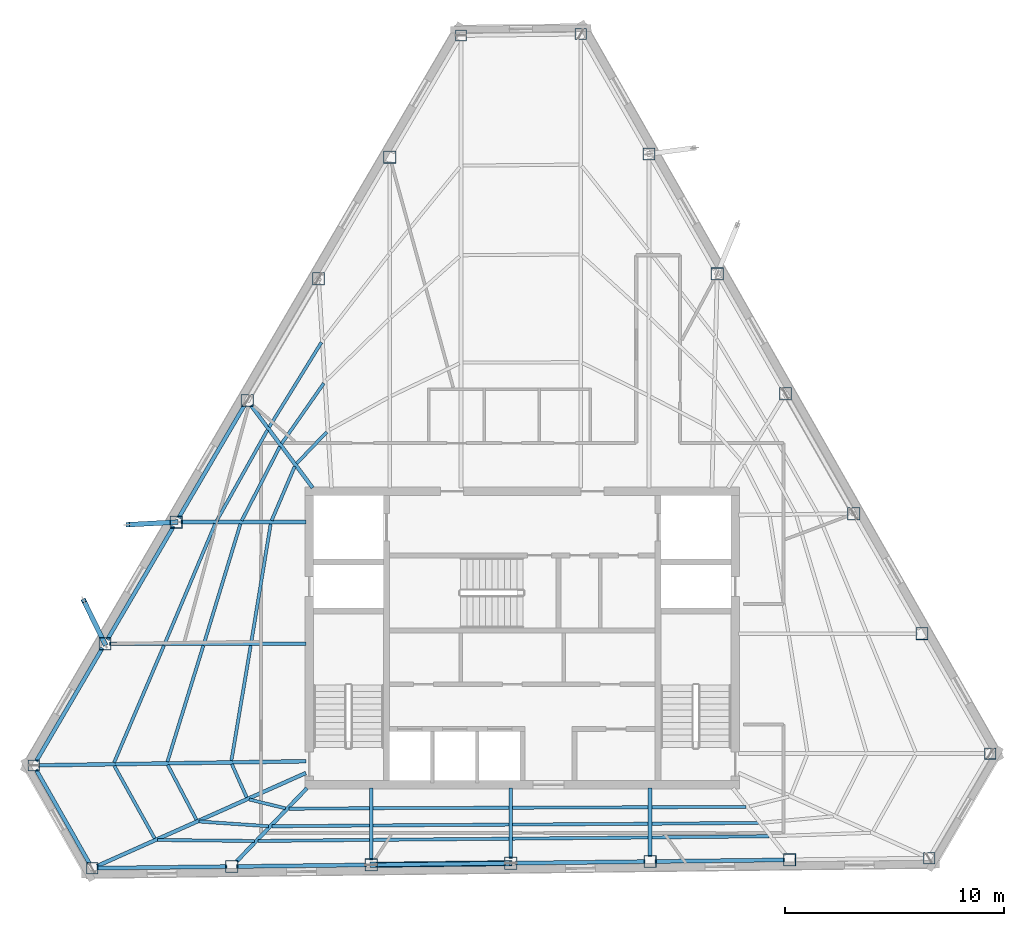
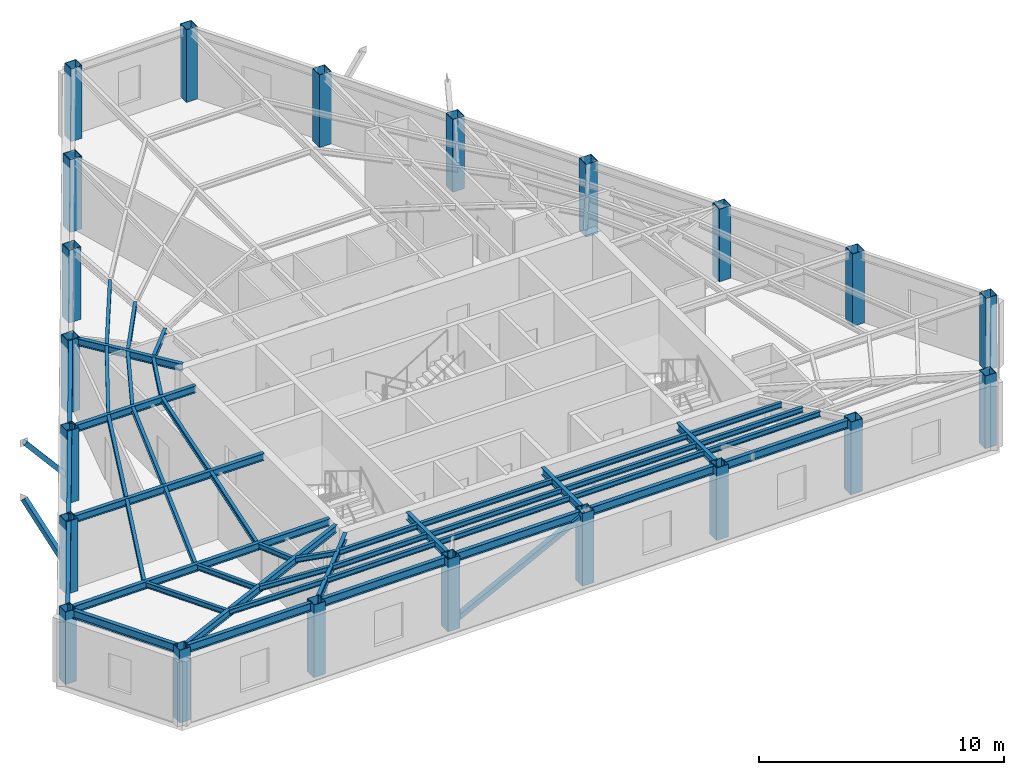
# One storey, part 1 of 10: 48 beams, 21 columns, 3 members.
"""IFC4 building model written with IfcOpenShell, lengths in metres."""

import ifcopenshell
import ifcopenshell.guid

model = None  # the IFC model being written
_history = None  # IfcOwnerHistory: only IFC2X3 demands one
_inside = {}  # id of a spatial element -> (the spatial element, [elements in it])
_under = {}  # id of a project, library or spatial element -> (it, [spatial elements below it])
_declared = {}  # id of a project -> (the project, [libraries it declares])
_typed = {}  # id of a type object -> (the type object, [elements of that type])
_made_of = {}  # id of a material, layer set ... -> (it, [elements and type objects made of it])


def new_model(schema):
    """Start an empty IFC model of exactly this schema.

    Asked for "IFC4X3", IfcOpenShell would pick the latest addendum, in which some entities
    have other attributes; the version numbers below select the first issue.
    IFC2X3 requires an IfcOwnerHistory on every rooted entity: one is made here for all.
    """
    global model, _history
    if schema == "IFC4X3":
        model = ifcopenshell.file(schema_version=(4, 3, 0, 0))
    else:
        model = ifcopenshell.file(schema=schema)
    _inside.clear()
    _under.clear()
    _declared.clear()
    _typed.clear()
    _made_of.clear()
    _history = None
    if model.schema == "IFC2X3":
        org = make("IfcOrganization", Name="unknown")
        user = make(
            "IfcPersonAndOrganization",
            ThePerson=make("IfcPerson", FamilyName="unknown"),
            TheOrganization=org,
        )
        app = make(
            "IfcApplication",
            ApplicationDeveloper=org,
            Version="unknown",
            ApplicationFullName="unknown",
            ApplicationIdentifier="unknown",
        )
        _history = make(
            "IfcOwnerHistory",
            OwningUser=user,
            OwningApplication=app,
            ChangeAction="ADDED",
            CreationDate=0,
        )
    return model


def make(cls, **values):
    """One entity of the class cls with the attributes given. An attribute that is None is left unset."""
    return model.create_entity(
        cls, **{name: value for name, value in values.items() if value is not None}
    )


def rooted(cls, **values):
    """An entity with a GlobalId (a new one), such as an element, a storey or a relation."""
    return make(cls, GlobalId=ifcopenshell.guid.new(), OwnerHistory=_history, **values)


def si_unit(unit_type, name, prefix=None):
    """IfcSIUnit, for example si_unit("LENGTHUNIT", "METRE", prefix="MILLI")."""
    return make("IfcSIUnit", UnitType=unit_type, Prefix=prefix, Name=name)


def assignment(units):
    """IfcUnitAssignment: the units of a project."""
    return None if units is None else make("IfcUnitAssignment", Units=units)


def point(xyz):
    """IfcCartesianPoint."""
    return None if xyz is None else make("IfcCartesianPoint", Coordinates=xyz)


def direction(xyz):
    """IfcDirection."""
    return None if xyz is None else make("IfcDirection", DirectionRatios=xyz)


def frame(location, z_axis=None, x_axis=None):
    """IfcAxis2Placement3D, a coordinate frame: its origin and axes. An axis left out is left unset."""
    return make(
        "IfcAxis2Placement3D",
        Location=point(location),
        Axis=direction(z_axis),
        RefDirection=direction(x_axis),
    )


def frame_2d(location, x_axis=None):
    """IfcAxis2Placement2D, a coordinate frame in the plane: its origin and x axis."""
    return make(
        "IfcAxis2Placement2D", Location=point(location), RefDirection=direction(x_axis)
    )


def origin():
    """The frame at (0, 0, 0) with its axes left unset."""
    return frame((0.0, 0.0, 0.0))


def origin_2d():
    """The frame at (0, 0) in the plane with its x axis left unset."""
    return frame_2d((0.0, 0.0))


def place(relative_to, where):
    """IfcLocalPlacement: puts the frame where relative to a parent placement (None: the world)."""
    return make(
        "IfcLocalPlacement", PlacementRelTo=relative_to, RelativePlacement=where
    )


def context(
    kind, dimensions, precision=None, world=None, true_north=None, identifier=None
):
    """IfcGeometricRepresentationContext, for example the 3D "Model" context."""
    return make(
        "IfcGeometricRepresentationContext",
        ContextIdentifier=identifier,
        ContextType=kind,
        CoordinateSpaceDimension=dimensions,
        Precision=precision,
        WorldCoordinateSystem=world,
        TrueNorth=true_north,
    )


def subcontext(parent, identifier, kind, view, scale=None):
    """IfcGeometricRepresentationSubContext, for example "Body" below "Model"."""
    return make(
        "IfcGeometricRepresentationSubContext",
        ContextIdentifier=identifier,
        ContextType=kind,
        ParentContext=parent,
        TargetScale=scale,
        TargetView=view,
    )


def project(units=None, contexts=None):
    """IfcProject with its units and contexts."""
    return rooted(
        "IfcProject",
        Name="project",
        RepresentationContexts=contexts,
        UnitsInContext=assignment(units),
    )


def spatial(cls, under=None, at=None, **own):
    """A site, building, storey or space (cls), placed at a placement, below another one or the project."""
    s = rooted(cls, ObjectPlacement=at, **own)
    if under is not None:
        _under.setdefault(under.id(), (under, []))[1].append(s)
    return s


def profile(cls, at=None, kind="AREA", **sizes):
    """A parametric profile (cls). Its sizes go by their IFC names, for example OverallWidth=200.0."""
    return make(cls, ProfileType=kind, Position=at, **sizes)


def hollow_rectangle(**sizes):
    """IfcRectangleHollowProfileDef."""
    return profile("IfcRectangleHollowProfileDef", **sizes)


def i_section(**sizes):
    """IfcIShapeProfileDef."""
    return profile("IfcIShapeProfileDef", **sizes)


def extrude(swept, where, along, depth):
    """IfcExtrudedAreaSolid: the profile swept, set in the frame where, extruded along a direction by depth."""
    return make(
        "IfcExtrudedAreaSolid",
        SweptArea=swept,
        Position=where,
        ExtrudedDirection=direction(along),
        Depth=depth,
    )


def shape(context_of_items, identifier, shape_type, items):
    """IfcShapeRepresentation: the items that make up one representation, for example the "Body"."""
    return make(
        "IfcShapeRepresentation",
        ContextOfItems=context_of_items,
        RepresentationIdentifier=identifier,
        RepresentationType=shape_type,
        Items=items,
    )


def material(Name=None, Category=None):
    """IfcMaterial."""
    return make("IfcMaterial", Name=Name, Category=Category)


def material_profile(
    of_material, cross_section, Name=None, Category=None, Priority=None
):
    """IfcMaterialProfile: a cross section and its material."""
    return make(
        "IfcMaterialProfile",
        Name=Name,
        Material=of_material,
        Profile=cross_section,
        Priority=Priority,
        Category=Category,
    )


def profile_set(profiles, Name=None, composite=None):
    """IfcMaterialProfileSet."""
    return make(
        "IfcMaterialProfileSet",
        Name=Name,
        MaterialProfiles=profiles,
        CompositeProfile=composite,
    )


def made_of(thing, what):
    """Note that an element or type object is made of a material, layer set ...; save() writes the relation."""
    if what is not None:
        _made_of.setdefault(what.id(), (what, []))[1].append(thing)
    return thing


def type_object(cls, material=None, **own):
    """A type object (cls), such as IfcWallType, which elements share."""
    return made_of(rooted(cls, **own), material)


def element(
    cls,
    number,
    at=None,
    inside=None,
    cuts=None,
    type_object=None,
    material=None,
    context=None,
    identifier="Body",
    shape_type=None,
    held_by="IfcProductDefinitionShape",
    body=None,
    shapes=None,
    **own,
):
    """One element of the class cls, such as IfcWall. Its Tag is "e" and its number.

    at: its placement. inside: the storey or other place that contains it. cuts: it is an
    opening in that element (IfcRelVoidsElement). A single representation is given by context,
    identifier, shape_type and body (its items); several are given by shapes. held_by: the class
    of the entity that holds the representations. save() writes the other relations.
    """
    e = rooted(cls, Tag="e%d" % number, ObjectPlacement=at, **own)
    if body is not None:
        shapes = [shape(context, identifier, shape_type, body)]
    if shapes is not None:
        e.Representation = make(held_by, Representations=shapes)
    if inside is not None:
        _inside.setdefault(inside.id(), (inside, []))[1].append(e)
    if cuts is not None:
        rooted(
            "IfcRelVoidsElement", RelatingBuildingElement=cuts, RelatedOpeningElement=e
        )
    if type_object is not None:
        _typed.setdefault(type_object.id(), (type_object, []))[1].append(e)
    return made_of(e, material)


def aggregate(whole, parts):
    """IfcRelAggregates: a whole, such as a stair, and the parts it consists of."""
    return rooted("IfcRelAggregates", RelatingObject=whole, RelatedObjects=parts)


def save(model, path):
    """Write the relations noted so far, then the file.

    IfcRelAggregates (storeys below a building ...), IfcRelContainedInSpatialStructure (elements
    in a storey), IfcRelDefinesByType, IfcRelAssociatesMaterial and IfcRelDeclares: one each for
    every whole, place, type object, material and project.
    """
    for whole, parts in _under.values():
        aggregate(whole, parts)
    for where, things in _inside.values():
        rooted(
            "IfcRelContainedInSpatialStructure",
            RelatedElements=things,
            RelatingStructure=where,
        )
    for kind, things in _typed.values():
        rooted("IfcRelDefinesByType", RelatedObjects=things, RelatingType=kind)
    for what, things in _made_of.values():
        rooted("IfcRelAssociatesMaterial", RelatedObjects=things, RelatingMaterial=what)
    for by, libraries in _declared.values():
        rooted("IfcRelDeclares", RelatingContext=by, RelatedDefinitions=libraries)
    model.write(path)


model = new_model("IFC4")

# Units and contexts
model_context = context("Model", 3, precision=1e-05, world=origin(), true_north=direction((0.0, 1.0)))
body_context = subcontext(model_context, "Body", "Model", "MODEL_VIEW")
ifc_project = project(units=[si_unit("LENGTHUNIT", "METRE"), si_unit("AREAUNIT", "SQUARE_METRE"), si_unit("VOLUMEUNIT", "CUBIC_METRE"), si_unit("PLANEANGLEUNIT", "RADIAN"), si_unit("MASSUNIT", "GRAM", prefix="KILO")], contexts=[model_context])

# Site, building, storey
site_placement = place(None, origin())
site = spatial("IfcSite", under=ifc_project, at=site_placement, CompositionType="ELEMENT")
building_placement = place(site_placement, origin())
building = spatial("IfcBuilding", under=site, at=building_placement, Name="Kavelnor Concourse Tower", CompositionType="ELEMENT")
storey_placement = place(building_placement, frame((0.0, 0.0, 289.550048828125)))
storey = spatial("IfcBuildingStorey", under=building, at=storey_placement, Name="L73", CompositionType="ELEMENT", Elevation=289.550048828125)

# Columns
ifc_material = material(Name="Steel Grade 350", Category="steel")
ifc_material_profile_1 = material_profile(ifc_material, hollow_rectangle(XDim=0.52001953125, YDim=0.52001953125, WallThickness=0.02392578125, at=origin_2d()), Name="SHS 520x520x24")
ifc_profile_set_1 = profile_set([ifc_material_profile_1], Name="Steel Grade 350")
column_type_1 = type_object("IfcColumnType", Name="COL-FOLD-Z4", PredefinedType="COLUMN", material=ifc_profile_set_1)
for number, where, z_axis, x_axis, name in (
    (1, (35.20751953125, 43.575439453125, 0.0), (0.0, 0.0, 1.0), (1.0, 0.0, 0.0), "L73 Perimeter Corner-Fold Column F0-B0"),
    (2, (15.72509765625, 10.288818359375, 0.0), (0.0, 0.0, 1.0), (1.0, 0.0, 0.0), "L73 Perimeter Corner-Fold Column F0-B6"),
    (3, (18.39306640625, 5.602783203125, 0.0), (0.0, 0.0, 1.0), (1.0, 0.0, 0.0), "L73 Perimeter Corner-Fold Column F1-B0"),
    (4, (56.553466796875, 6.060302734375, 0.0), (0.0, 0.0, 1.0), (1.0, 0.0, 0.0), "L73 Perimeter Corner-Fold Column F1-B6"),
    (5, (59.34619140625, 10.831787109375, 0.0), (0.0, 0.0, 1.0), (1.0, 0.0, 0.0), "L73 Perimeter Corner-Fold Column F2-B0"),
    (6, (40.667724609375, 43.640869140625, 0.0), (0.0, 0.0, 1.0), (1.0, 0.0, 0.0), "L73 Perimeter Corner-Fold Column F2-B6"),
):
    element("IfcColumn", number, at=place(storey_placement, frame(where, z_axis=z_axis, x_axis=x_axis)), inside=storey, type_object=column_type_1, Name=name, PredefinedType="COLUMN", context=body_context, shape_type="SweptSolid", body=[
        extrude(hollow_rectangle(XDim=0.52001953125, YDim=0.52001953125, WallThickness=0.02392578125, at=origin_2d()), origin(), (0.0, 0.0, 1.0), 3.60986328125),
    ])
ifc_material_profile_2 = material_profile(ifc_material, hollow_rectangle(XDim=0.56005859375, YDim=0.56005859375, WallThickness=0.02490234375, at=origin_2d()), Name="SHS 560x560x25")
ifc_profile_set_2 = profile_set([ifc_material_profile_2], Name="Steel Grade 350")
column_type_2 = type_object("IfcColumnType", Name="COL-TUBE-Z4", PredefinedType="COLUMN", material=ifc_profile_set_2)
for number, where, z_axis, x_axis, name in (
    (7, (31.96044921875, 38.027587890625, 0.0), (0.0, 0.0, 1.0), (1.0, 0.0, 0.0), "L73 Perimeter Framed-Tube Column F0-B1"),
    (8, (28.71337890625, 32.47998046875, 0.0), (0.0, 0.0, 1.0), (1.0, 0.0, 0.0), "L73 Perimeter Framed-Tube Column F0-B2"),
    (9, (25.46630859375, 26.93212890625, 0.0), (0.0, 0.0, 1.0), (1.0, 0.0, 0.0), "L73 Perimeter Framed-Tube Column F0-B3"),
    (10, (22.21923828125, 21.384521484375, 0.0), (0.0, 0.0, 1.0), (1.0, 0.0, 0.0), "L73 Perimeter Framed-Tube Column F0-B4"),
    (11, (18.97216796875, 15.836669921875, 0.0), (0.0, 0.0, 1.0), (1.0, 0.0, 0.0), "L73 Perimeter Framed-Tube Column F0-B5"),
    (12, (24.753173828125, 5.678955078125, 0.0), (0.0, 0.0, 1.0), (1.0, 0.0, 0.0), "L73 Perimeter Framed-Tube Column F1-B1"),
    (13, (31.11328125, 5.75537109375, 0.0), (0.0, 0.0, 1.0), (1.0, 0.0, 0.0), "L73 Perimeter Framed-Tube Column F1-B2"),
    (14, (37.473388671875, 5.83154296875, 0.0), (0.0, 0.0, 1.0), (1.0, 0.0, 0.0), "L73 Perimeter Framed-Tube Column F1-B3"),
    (15, (43.833251953125, 5.90771484375, 0.0), (0.0, 0.0, 1.0), (1.0, 0.0, 0.0), "L73 Perimeter Framed-Tube Column F1-B4"),
    (16, (50.193359375, 5.98388671875, 0.0), (0.0, 0.0, 1.0), (1.0, 0.0, 0.0), "L73 Perimeter Framed-Tube Column F1-B5"),
    (17, (56.23291015625, 16.2998046875, 0.0), (0.0, 0.0, 1.0), (1.0, 0.0, 0.0), "L73 Perimeter Framed-Tube Column F2-B1"),
    (18, (53.1201171875, 21.76806640625, 0.0), (0.0, 0.0, 1.0), (1.0, 0.0, 0.0), "L73 Perimeter Framed-Tube Column F2-B2"),
    (19, (50.0068359375, 27.236328125, 0.0), (0.0, 0.0, 1.0), (1.0, 0.0, 0.0), "L73 Perimeter Framed-Tube Column F2-B3"),
    (20, (46.893798828125, 32.70458984375, 0.0), (0.0, 0.0, 1.0), (1.0, 0.0, 0.0), "L73 Perimeter Framed-Tube Column F2-B4"),
    (21, (43.78076171875, 38.172607421875, 0.0), (0.0, 0.0, 1.0), (1.0, 0.0, 0.0), "L73 Perimeter Framed-Tube Column F2-B5"),
):
    element("IfcColumn", number, at=place(storey_placement, frame(where, z_axis=z_axis, x_axis=x_axis)), inside=storey, type_object=column_type_2, Name=name, PredefinedType="COLUMN", context=body_context, shape_type="SweptSolid", body=[
        extrude(hollow_rectangle(XDim=0.56005859375, YDim=0.56005859375, WallThickness=0.02490234375, at=origin_2d()), origin(), (0.0, 0.0, 1.0), 3.60986328125),
    ])

# Beams
ifc_material_profile_3 = material_profile(ifc_material, i_section(OverallWidth=0.14599609375, OverallDepth=0.256103515625, WebThickness=0.00634765625, FlangeThickness=0.010986328125, at=origin_2d()), Name="250UB37")
ifc_profile_set_3 = profile_set([ifc_material_profile_3], Name="Steel Grade 350")
beam_type_1 = type_object("IfcBeamType", Name="BM-JOIST-250", PredefinedType="JOIST", material=ifc_profile_set_3)
beam_1_placement = place(storey_placement, frame((25.62109375, 15.755859375, 3.48193359375), z_axis=(-0.165782818915, -0.98616228733, 0.0), x_axis=(0.98616228733, -0.165782818915, 0.0)))
element("IfcBeam", 22, at=beam_1_placement, inside=storey, type_object=beam_type_1, Name="L73 Secondary Composite Joist 01-1", PredefinedType="JOIST", context=body_context, shape_type="SweptSolid", body=[
    extrude(i_section(OverallWidth=0.14599609375, OverallDepth=0.256103515625, WebThickness=0.00634765625, FlangeThickness=0.010986328125, at=origin_2d()), origin(), (0.0, 0.0, 1.0), 5.32080078125),
])
beam_2_placement = place(storey_placement, frame((23.462890625, 15.75830078125, 3.48193359375), z_axis=(-0.295734429042, -0.955270196059, 0.0), x_axis=(0.955270196059, -0.295734429042, 0.0)))
element("IfcBeam", 23, at=beam_2_placement, inside=storey, type_object=beam_type_1, Name="L73 Secondary Composite Joist 01-2", PredefinedType="JOIST", context=body_context, shape_type="SweptSolid", body=[
    extrude(i_section(OverallWidth=0.14599609375, OverallDepth=0.256103515625, WebThickness=0.00634765625, FlangeThickness=0.010986328125, at=origin_2d()), origin(), (0.0, 0.0, 1.0), 5.545166015625),
])
beam_3_placement = place(storey_placement, frame((21.66552734375, 15.76123046875, 3.48193359375), z_axis=(-0.39169987673, -0.920093042344, 0.0), x_axis=(0.920093042344, -0.39169987673, 0.0)))
element("IfcBeam", 24, at=beam_3_placement, inside=storey, type_object=beam_type_1, Name="L73 Secondary Composite Joist 01-3", PredefinedType="JOIST", context=body_context, shape_type="SweptSolid", body=[
    extrude(i_section(OverallWidth=0.14599609375, OverallDepth=0.256103515625, WebThickness=0.00634765625, FlangeThickness=0.010986328125, at=origin_2d()), origin(), (0.0, 0.0, 1.0), 5.8046875),
])
beam_4_placement = place(storey_placement, frame((24.7587890625, 10.35302734375, 3.48193359375), z_axis=(0.407607177094, -0.913157373721, 0.0), x_axis=(0.913157373721, 0.407607177094, 0.0)))
element("IfcBeam", 25, at=beam_4_placement, inside=storey, type_object=beam_type_1, Name="L73 Secondary Composite Joist 02-1", PredefinedType="JOIST", context=body_context, shape_type="SweptSolid", body=[
    extrude(i_section(OverallWidth=0.14599609375, OverallDepth=0.256103515625, WebThickness=0.00634765625, FlangeThickness=0.010986328125, at=origin_2d()), origin(), (0.0, 0.0, 1.0), 1.6650390625),
])
beam_5_placement = place(storey_placement, frame((21.8369140625, 10.310302734375, 3.48193359375), z_axis=(0.464640573298, -0.885499371906, 0.0), x_axis=(0.885499371906, 0.464640573298, 0.0)))
element("IfcBeam", 26, at=beam_5_placement, inside=storey, type_object=beam_type_1, Name="L73 Secondary Composite Joist 02-2", PredefinedType="JOIST", context=body_context, shape_type="SweptSolid", body=[
    extrude(i_section(OverallWidth=0.14599609375, OverallDepth=0.256103515625, WebThickness=0.00634765625, FlangeThickness=0.010986328125, at=origin_2d()), origin(), (0.0, 0.0, 1.0), 2.821533203125),
])
beam_6_placement = place(storey_placement, frame((19.399658203125, 10.2734375, 3.48193359375), z_axis=(0.486233607395, -0.873828861414, 0.0), x_axis=(0.873828861414, 0.486233607395, 0.0)))
element("IfcBeam", 27, at=beam_6_placement, inside=storey, type_object=beam_type_1, Name="L73 Secondary Composite Joist 02-3", PredefinedType="JOIST", context=body_context, shape_type="SweptSolid", body=[
    extrude(i_section(OverallWidth=0.14599609375, OverallDepth=0.256103515625, WebThickness=0.00634765625, FlangeThickness=0.010986328125, at=origin_2d()), origin(), (0.0, 0.0, 1.0), 3.789306640625),
])
beam_7_placement = place(storey_placement, frame((25.550537109375, 8.738037109375, 3.48193359375), z_axis=(0.971296634745, -0.237871493316, 0.0), x_axis=(0.237871493316, 0.971296634745, 0.0)))
element("IfcBeam", 28, at=beam_7_placement, inside=storey, type_object=beam_type_1, Name="L73 Secondary Composite Joist 03-1", PredefinedType="JOIST", context=body_context, shape_type="SweptSolid", body=[
    extrude(i_section(OverallWidth=0.14599609375, OverallDepth=0.256103515625, WebThickness=0.00634765625, FlangeThickness=0.010986328125, at=origin_2d()), origin(), (0.0, 0.0, 1.0), 1.70068359375),
])
beam_8_placement = place(storey_placement, frame((23.26806640625, 7.733642578125, 3.48193359375), z_axis=(0.997691168925, -0.067914147642, 0.0), x_axis=(0.067914147642, 0.997691168925, 0.0)))
element("IfcBeam", 29, at=beam_8_placement, inside=storey, type_object=beam_type_1, Name="L73 Secondary Composite Joist 03-2", PredefinedType="JOIST", context=body_context, shape_type="SweptSolid", body=[
    extrude(i_section(OverallWidth=0.14599609375, OverallDepth=0.256103515625, WebThickness=0.00634765625, FlangeThickness=0.010986328125, at=origin_2d()), origin(), (0.0, 0.0, 1.0), 3.170654296875),
])
beam_9_placement = place(storey_placement, frame((21.3642578125, 6.8896484375, 3.48193359375), z_axis=(0.99995071268, -0.009928353924, 0.0), x_axis=(0.009928353924, 0.99995071268, 0.0)))
element("IfcBeam", 30, at=beam_9_placement, inside=storey, type_object=beam_type_1, Name="L73 Secondary Composite Joist 03-3", PredefinedType="JOIST", context=body_context, shape_type="SweptSolid", body=[
    extrude(i_section(OverallWidth=0.14599609375, OverallDepth=0.256103515625, WebThickness=0.00634765625, FlangeThickness=0.010986328125, at=origin_2d()), origin(), (0.0, 0.0, 1.0), 4.42626953125),
])
beam_10_placement = place(storey_placement, frame((27.364013671875, 8.314697265625, 3.48193359375), z_axis=(0.999976945398, 0.006790336757, 0.0), x_axis=(-0.006790336757, 0.999976945398, 0.0)))
element("IfcBeam", 31, at=beam_10_placement, inside=storey, type_object=beam_type_1, Name="L73 Secondary Composite Joist 04-1", PredefinedType="JOIST", context=body_context, shape_type="SweptSolid", body=[
    extrude(i_section(OverallWidth=0.14599609375, OverallDepth=0.256103515625, WebThickness=0.00634765625, FlangeThickness=0.010986328125, at=origin_2d()), origin(), (0.0, 0.0, 1.0), 3.667236328125),
])
beam_11_placement = place(storey_placement, frame((26.59521484375, 7.513427734375, 3.48193359375), z_axis=(0.999963616888, 0.008530234486, 0.0), x_axis=(-0.008530234486, 0.999963616888, 0.0)))
element("IfcBeam", 32, at=beam_11_placement, inside=storey, type_object=beam_type_1, Name="L73 Secondary Composite Joist 04-2", PredefinedType="JOIST", context=body_context, shape_type="SweptSolid", body=[
    extrude(i_section(OverallWidth=0.14599609375, OverallDepth=0.256103515625, WebThickness=0.00634765625, FlangeThickness=0.010986328125, at=origin_2d()), origin(), (0.0, 0.0, 1.0), 4.436279296875),
])
beam_12_placement = place(storey_placement, frame((25.9541015625, 6.845703125, 3.48193359375), z_axis=(0.999954218848, 0.009568709826, 0.0), x_axis=(-0.009568709826, 0.999954218848, 0.0)))
element("IfcBeam", 33, at=beam_12_placement, inside=storey, type_object=beam_type_1, Name="L73 Secondary Composite Joist 04-3", PredefinedType="JOIST", context=body_context, shape_type="SweptSolid", body=[
    extrude(i_section(OverallWidth=0.14599609375, OverallDepth=0.256103515625, WebThickness=0.00634765625, FlangeThickness=0.010986328125, at=origin_2d()), origin(), (0.0, 0.0, 1.0), 5.077392578125),
])
for number, where, z_axis, x_axis, name in (
    (34, (31.1953125, 8.340576171875, 3.48193359375), (0.999994391391, 0.003349206953, 0.0), (-0.003349206953, 0.999994391391, 0.0), "L73 Secondary Composite Joist 05-1"),
    (35, (31.1953125, 7.552490234375, 3.48193359375), (0.999980621394, 0.006225498963, 0.0), (-0.006225498963, 0.999980621394, 0.0), "L73 Secondary Composite Joist 05-2"),
):
    element("IfcBeam", number, at=place(storey_placement, frame(where, z_axis=z_axis, x_axis=x_axis)), inside=storey, type_object=beam_type_1, Name=name, PredefinedType="JOIST", context=body_context, shape_type="SweptSolid", body=[
        extrude(i_section(OverallWidth=0.14599609375, OverallDepth=0.256103515625, WebThickness=0.00634765625, FlangeThickness=0.010986328125, at=origin_2d()), origin(), (0.0, 0.0, 1.0), 6.196044921875),
    ])
beam_13_placement = place(storey_placement, frame((31.1953125, 6.895751953125, 3.48193359375), z_axis=(0.999962770692, 0.008628860348, 0.0), x_axis=(-0.008628860348, 0.999962770692, 0.0)))
element("IfcBeam", 36, at=beam_13_placement, inside=storey, type_object=beam_type_1, Name="L73 Secondary Composite Joist 05-3", PredefinedType="JOIST", context=body_context, shape_type="SweptSolid", body=[
    extrude(i_section(OverallWidth=0.14599609375, OverallDepth=0.256103515625, WebThickness=0.00634765625, FlangeThickness=0.010986328125, at=origin_2d()), origin(), (0.0, 0.0, 1.0), 6.1962890625),
])
for number, where, z_axis, x_axis, name in (
    (37, (37.555419921875, 8.36181640625, 3.48193359375), (0.999994258196, 0.003388742462, 0.0), (-0.003388742462, 0.999994258196, 0.0), "L73 Secondary Composite Joist 06-1"),
    (38, (37.555419921875, 7.592041015625, 3.48193359375), (0.999980619866, 0.006225744264, 0.0), (-0.006225744264, 0.999980619866, 0.0), "L73 Secondary Composite Joist 06-2"),
):
    element("IfcBeam", number, at=place(storey_placement, frame(where, z_axis=z_axis, x_axis=x_axis)), inside=storey, type_object=beam_type_1, Name=name, PredefinedType="JOIST", context=body_context, shape_type="SweptSolid", body=[
        extrude(i_section(OverallWidth=0.14599609375, OverallDepth=0.256103515625, WebThickness=0.00634765625, FlangeThickness=0.010986328125, at=origin_2d()), origin(), (0.0, 0.0, 1.0), 6.19580078125),
    ])
beam_14_placement = place(storey_placement, frame((37.555419921875, 6.95068359375, 3.48193359375), z_axis=(0.999963106983, 0.008589800509, 0.0), x_axis=(-0.008589800509, 0.999963106983, 0.0)))
element("IfcBeam", 39, at=beam_14_placement, inside=storey, type_object=beam_type_1, Name="L73 Secondary Composite Joist 06-3", PredefinedType="JOIST", context=body_context, shape_type="SweptSolid", body=[
    extrude(i_section(OverallWidth=0.14599609375, OverallDepth=0.256103515625, WebThickness=0.00634765625, FlangeThickness=0.010986328125, at=origin_2d()), origin(), (0.0, 0.0, 1.0), 6.196044921875),
])
beam_15_placement = place(storey_placement, frame((43.915283203125, 8.38330078125, 3.48193359375), z_axis=(0.999992268613, 0.003932265717, 0.0), x_axis=(-0.003932265717, 0.999992268613, 0.0)))
element("IfcBeam", 40, at=beam_15_placement, inside=storey, type_object=beam_type_1, Name="L73 Secondary Composite Joist 07-1", PredefinedType="JOIST", context=body_context, shape_type="SweptSolid", body=[
    extrude(i_section(OverallWidth=0.14599609375, OverallDepth=0.256103515625, WebThickness=0.00634765625, FlangeThickness=0.010986328125, at=origin_2d()), origin(), (0.0, 0.0, 1.0), 4.283935546875),
])
beam_16_placement = place(storey_placement, frame((43.915283203125, 7.6318359375, 3.48193359375), z_axis=(0.999968117135, 0.007985281032, 0.0), x_axis=(-0.007985281032, 0.999968117135, 0.0)))
element("IfcBeam", 41, at=beam_16_placement, inside=storey, type_object=beam_type_1, Name="L73 Secondary Composite Joist 07-2", PredefinedType="JOIST", context=body_context, shape_type="SweptSolid", body=[
    extrude(i_section(OverallWidth=0.14599609375, OverallDepth=0.256103515625, WebThickness=0.00634765625, FlangeThickness=0.010986328125, at=origin_2d()), origin(), (0.0, 0.0, 1.0), 4.861328125),
])
beam_17_placement = place(storey_placement, frame((43.915283203125, 7.005615234375, 3.48193359375), z_axis=(0.99994330428, 0.010648390763, 0.0), x_axis=(-0.010648390763, 0.99994330428, 0.0)))
element("IfcBeam", 42, at=beam_17_placement, inside=storey, type_object=beam_type_1, Name="L73 Secondary Composite Joist 07-3", PredefinedType="JOIST", context=body_context, shape_type="SweptSolid", body=[
    extrude(i_section(OverallWidth=0.14599609375, OverallDepth=0.256103515625, WebThickness=0.00634765625, FlangeThickness=0.010986328125, at=origin_2d()), origin(), (0.0, 0.0, 1.0), 5.342041015625),
])
beam_18_placement = place(storey_placement, frame((29.085205078125, 25.490478515625, 3.48193359375), z_axis=(-0.691088283281, -0.722770354063, 0.0), x_axis=(0.722770354063, -0.691088283281, 0.0)))
element("IfcBeam", 43, at=beam_18_placement, inside=storey, type_object=beam_type_1, Name="L73 Secondary Composite Joist 19-1", PredefinedType="JOIST", context=body_context, shape_type="SweptSolid", body=[
    extrude(i_section(OverallWidth=0.14599609375, OverallDepth=0.256103515625, WebThickness=0.00634765625, FlangeThickness=0.010986328125, at=origin_2d()), origin(), (0.0, 0.0, 1.0), 1.98046875),
])
beam_19_placement = place(storey_placement, frame((28.95654296875, 27.71923828125, 3.48193359375), z_axis=(-0.573174323085, -0.819433459993, 0.0), x_axis=(0.819433459993, -0.573174323085, 0.0)))
element("IfcBeam", 44, at=beam_19_placement, inside=storey, type_object=beam_type_1, Name="L73 Secondary Composite Joist 19-2", PredefinedType="JOIST", context=body_context, shape_type="SweptSolid", body=[
    extrude(i_section(OverallWidth=0.14599609375, OverallDepth=0.256103515625, WebThickness=0.00634765625, FlangeThickness=0.010986328125, at=origin_2d()), origin(), (0.0, 0.0, 1.0), 3.35693359375),
])
beam_20_placement = place(storey_placement, frame((28.84521484375, 29.58056640625, 3.48193359375), z_axis=(-0.524803496841, -0.851223407634, 0.0), x_axis=(0.851223407634, -0.524803496841, 0.0)))
element("IfcBeam", 45, at=beam_20_placement, inside=storey, type_object=beam_type_1, Name="L73 Secondary Composite Joist 19-3", PredefinedType="JOIST", context=body_context, shape_type="SweptSolid", body=[
    extrude(i_section(OverallWidth=0.14599609375, OverallDepth=0.256103515625, WebThickness=0.00634765625, FlangeThickness=0.010986328125, at=origin_2d()), origin(), (0.0, 0.0, 1.0), 4.532470703125),
])
beam_21_placement = place(storey_placement, frame((27.627685546875, 23.92431640625, 3.48193359375), z_axis=(-0.392500346581, -0.919751856717, 0.0), x_axis=(0.919751856717, -0.392500346581, 0.0)))
element("IfcBeam", 46, at=beam_21_placement, inside=storey, type_object=beam_type_1, Name="L73 Secondary Composite Joist 20-1", PredefinedType="JOIST", context=body_context, shape_type="SweptSolid", body=[
    extrude(i_section(OverallWidth=0.14599609375, OverallDepth=0.256103515625, WebThickness=0.00634765625, FlangeThickness=0.010986328125, at=origin_2d()), origin(), (0.0, 0.0, 1.0), 2.6796875),
])
beam_22_placement = place(storey_placement, frame((26.947998046875, 24.828369140625, 3.48193359375), z_axis=(-0.457589528259, -0.8891635528, 0.0), x_axis=(0.8891635528, -0.457589528259, 0.0)))
element("IfcBeam", 47, at=beam_22_placement, inside=storey, type_object=beam_type_1, Name="L73 Secondary Composite Joist 20-2", PredefinedType="JOIST", context=body_context, shape_type="SweptSolid", body=[
    extrude(i_section(OverallWidth=0.14599609375, OverallDepth=0.256103515625, WebThickness=0.00634765625, FlangeThickness=0.010986328125, at=origin_2d()), origin(), (0.0, 0.0, 1.0), 3.791259765625),
])
beam_23_placement = place(storey_placement, frame((26.383544921875, 25.580810546875, 3.48193359375), z_axis=(-0.48832023108, -0.87266451281, 0.0), x_axis=(0.87266451281, -0.48832023108, 0.0)))
element("IfcBeam", 48, at=beam_23_placement, inside=storey, type_object=beam_type_1, Name="L73 Secondary Composite Joist 20-3", PredefinedType="JOIST", context=body_context, shape_type="SweptSolid", body=[
    extrude(i_section(OverallWidth=0.14599609375, OverallDepth=0.256103515625, WebThickness=0.00634765625, FlangeThickness=0.010986328125, at=origin_2d()), origin(), (0.0, 0.0, 1.0), 4.7265625),
])
beam_24_placement = place(storey_placement, frame((26.530517578125, 21.303466796875, 3.48193359375), z_axis=(-0.161707184876, -0.986838784382, 0.0), x_axis=(0.986838784382, -0.161707184876, 0.0)))
element("IfcBeam", 49, at=beam_24_placement, inside=storey, type_object=beam_type_1, Name="L73 Secondary Composite Joist 21-1", PredefinedType="JOIST", context=body_context, shape_type="SweptSolid", body=[
    extrude(i_section(OverallWidth=0.14599609375, OverallDepth=0.256103515625, WebThickness=0.00634765625, FlangeThickness=0.010986328125, at=origin_2d()), origin(), (0.0, 0.0, 1.0), 5.457763671875),
])
beam_25_placement = place(storey_placement, frame((25.15185546875, 21.305908203125, 3.48193359375), z_axis=(-0.291189199922, -0.956665484821, 0.0), x_axis=(0.956665484821, -0.291189199922, 0.0)))
element("IfcBeam", 50, at=beam_25_placement, inside=storey, type_object=beam_type_1, Name="L73 Secondary Composite Joist 21-2", PredefinedType="JOIST", context=body_context, shape_type="SweptSolid", body=[
    extrude(i_section(OverallWidth=0.14599609375, OverallDepth=0.256103515625, WebThickness=0.00634765625, FlangeThickness=0.010986328125, at=origin_2d()), origin(), (0.0, 0.0, 1.0), 5.635009765625),
])
beam_26_placement = place(storey_placement, frame((24.003662109375, 21.308837890625, 3.48193359375), z_axis=(-0.38834214093, -0.921515263888, 0.0), x_axis=(0.921515263888, -0.38834214093, 0.0)))
element("IfcBeam", 51, at=beam_26_placement, inside=storey, type_object=beam_type_1, Name="L73 Secondary Composite Joist 21-3", PredefinedType="JOIST", context=body_context, shape_type="SweptSolid", body=[
    extrude(i_section(OverallWidth=0.14599609375, OverallDepth=0.256103515625, WebThickness=0.00634765625, FlangeThickness=0.010986328125, at=origin_2d()), origin(), (0.0, 0.0, 1.0), 5.856201171875),
])
ifc_material_profile_4 = material_profile(ifc_material, i_section(OverallWidth=0.172119140625, OverallDepth=0.35888671875, WebThickness=0.008056640625, FlangeThickness=0.012939453125, at=origin_2d()), Name="360UB56")
ifc_profile_set_4 = profile_set([ifc_material_profile_4], Name="Steel Grade 350")
beam_type_2 = type_object("IfcBeamType", Name="BM-PRIMARY-360", PredefinedType="BEAM", material=ifc_profile_set_4)
beam_27_placement = place(storey_placement, frame((28.446533203125, 22.947998046875, 3.430419921875), z_axis=(-0.599008565385, 0.800742616947, 0.0), x_axis=(-0.800742616947, -0.599008565385, 0.0)))
element("IfcBeam", 52, at=beam_27_placement, inside=storey, type_object=beam_type_2, Name="L73 Primary Floor Girder F0-B3", PredefinedType="BEAM", context=body_context, shape_type="SweptSolid", body=[
    extrude(i_section(OverallWidth=0.172119140625, OverallDepth=0.35888671875, WebThickness=0.008056640625, FlangeThickness=0.012939453125, at=origin_2d()), origin(), (0.0, 0.0, 1.0), 4.690673828125),
])
beam_28_placement = place(storey_placement, frame((28.139892578125, 21.384521484375, 3.430419921875), z_axis=(-1.0, 0.0, 0.0), x_axis=(0.0, -1.0, 0.0)))
element("IfcBeam", 53, at=beam_28_placement, inside=storey, type_object=beam_type_2, Name="L73 Primary Floor Girder F0-B4", PredefinedType="BEAM", context=body_context, shape_type="SweptSolid", body=[
    extrude(i_section(OverallWidth=0.172119140625, OverallDepth=0.35888671875, WebThickness=0.008056640625, FlangeThickness=0.012939453125, at=origin_2d()), origin(), (0.0, 0.0, 1.0), 5.70068359375),
])
beam_29_placement = place(storey_placement, frame((28.139892578125, 15.836669921875, 3.430419921875), z_axis=(-1.0, 0.0, 0.0), x_axis=(0.0, -1.0, 0.0)))
element("IfcBeam", 54, at=beam_29_placement, inside=storey, type_object=beam_type_2, Name="L73 Primary Floor Girder F0-B5", PredefinedType="BEAM", context=body_context, shape_type="SweptSolid", body=[
    extrude(i_section(OverallWidth=0.172119140625, OverallDepth=0.35888671875, WebThickness=0.008056640625, FlangeThickness=0.012939453125, at=origin_2d()), origin(), (0.0, 0.0, 1.0), 8.94775390625),
])
beam_30_placement = place(storey_placement, frame((28.139892578125, 10.480712890625, 3.430419921875), z_axis=(-0.999880581061, -0.015453919169, 0.0), x_axis=(0.015453919169, -0.999880581061, 0.0)))
element("IfcBeam", 55, at=beam_30_placement, inside=storey, type_object=beam_type_2, Name="L73 Primary Floor Girder F0-B6", PredefinedType="BEAM", context=body_context, shape_type="SweptSolid", body=[
    extrude(i_section(OverallWidth=0.172119140625, OverallDepth=0.35888671875, WebThickness=0.008056640625, FlangeThickness=0.012939453125, at=origin_2d()), origin(), (0.0, 0.0, 1.0), 12.196044921875),
])
beam_31_placement = place(storey_placement, frame((28.136474609375, 9.94580078125, 3.430419921875), z_axis=(-0.913369576307, -0.407131449383, 0.0), x_axis=(0.407131449383, -0.913369576307, 0.0)))
element("IfcBeam", 56, at=beam_31_placement, inside=storey, type_object=beam_type_2, Name="L73 Primary Floor Girder F1-B0", PredefinedType="BEAM", context=body_context, shape_type="SweptSolid", body=[
    extrude(i_section(OverallWidth=0.172119140625, OverallDepth=0.35888671875, WebThickness=0.008056640625, FlangeThickness=0.012939453125, at=origin_2d()), origin(), (0.0, 0.0, 1.0), 10.422607421875),
])
beam_32_placement = place(storey_placement, frame((28.17919921875, 9.248779296875, 3.430419921875), z_axis=(-0.692421995057, -0.721492744774, 0.0), x_axis=(0.721492744774, -0.692421995057, 0.0)))
element("IfcBeam", 57, at=beam_32_placement, inside=storey, type_object=beam_type_2, Name="L73 Primary Floor Girder F1-B1", PredefinedType="BEAM", context=body_context, shape_type="SweptSolid", body=[
    extrude(i_section(OverallWidth=0.172119140625, OverallDepth=0.35888671875, WebThickness=0.008056640625, FlangeThickness=0.012939453125, at=origin_2d()), origin(), (0.0, 0.0, 1.0), 4.62744140625),
])
beam_33_placement = place(storey_placement, frame((31.11328125, 9.260009765625, 3.430419921875), z_axis=(0.0, -1.0, 0.0), x_axis=(1.0, 0.0, 0.0)))
element("IfcBeam", 58, at=beam_33_placement, inside=storey, type_object=beam_type_2, Name="L73 Primary Floor Girder F1-B2", PredefinedType="BEAM", context=body_context, shape_type="SweptSolid", body=[
    extrude(i_section(OverallWidth=0.172119140625, OverallDepth=0.35888671875, WebThickness=0.008056640625, FlangeThickness=0.012939453125, at=origin_2d()), origin(), (0.0, 0.0, 1.0), 3.28466796875),
])
beam_34_placement = place(storey_placement, frame((37.473388671875, 9.260009765625, 3.430419921875), z_axis=(0.0, -1.0, 0.0), x_axis=(1.0, 0.0, 0.0)))
element("IfcBeam", 59, at=beam_34_placement, inside=storey, type_object=beam_type_2, Name="L73 Primary Floor Girder F1-B3", PredefinedType="BEAM", context=body_context, shape_type="SweptSolid", body=[
    extrude(i_section(OverallWidth=0.172119140625, OverallDepth=0.35888671875, WebThickness=0.008056640625, FlangeThickness=0.012939453125, at=origin_2d()), origin(), (0.0, 0.0, 1.0), 3.20849609375),
])
beam_35_placement = place(storey_placement, frame((43.833251953125, 9.260009765625, 3.430419921875), z_axis=(0.0, -1.0, 0.0), x_axis=(1.0, 0.0, 0.0)))
element("IfcBeam", 60, at=beam_35_placement, inside=storey, type_object=beam_type_2, Name="L73 Primary Floor Girder F1-B4", PredefinedType="BEAM", context=body_context, shape_type="SweptSolid", body=[
    extrude(i_section(OverallWidth=0.172119140625, OverallDepth=0.35888671875, WebThickness=0.008056640625, FlangeThickness=0.012939453125, at=origin_2d()), origin(), (0.0, 0.0, 1.0), 3.13232421875),
])
ifc_material_profile_5 = material_profile(ifc_material, i_section(OverallWidth=0.177978515625, OverallDepth=0.406005859375, WebThickness=0.0078125, FlangeThickness=0.0126953125, at=origin_2d()), Name="410UB59")
ifc_profile_set_5 = profile_set([ifc_material_profile_5], Name="Steel Grade 350")
beam_type_3 = type_object("IfcBeamType", Name="BM-SPANDREL-Z4", PredefinedType="SPANDREL", material=ifc_profile_set_5)
for number, where, z_axis, x_axis, name in (
    (61, (25.3525390625, 26.738037109375, 3.406982421875), (-0.505102044335, -0.863059629926, 0.0), (0.863059629926, -0.505102044335, 0.0), "L73 Perimeter Tube Spandrel Beam F0-B3"),
    (62, (22.105712890625, 21.190185546875, 3.406982421875), (-0.505150267656, -0.86303140562, 0.0), (0.86303140562, -0.505150267656, 0.0), "L73 Perimeter Tube Spandrel Beam F0-B4"),
    (63, (18.8583984375, 15.642578125, 3.406982421875), (-0.505102044335, -0.863059629926, 0.0), (0.863059629926, -0.505102044335, 0.0), "L73 Perimeter Tube Spandrel Beam F0-B5"),
):
    element("IfcBeam", number, at=place(storey_placement, frame(where, z_axis=z_axis, x_axis=x_axis)), inside=storey, type_object=beam_type_3, Name=name, PredefinedType="SPANDREL", context=body_context, shape_type="SweptSolid", body=[
        extrude(i_section(OverallWidth=0.177978515625, OverallDepth=0.406005859375, WebThickness=0.0078125, FlangeThickness=0.0126953125, at=origin_2d()), origin(), (0.0, 0.0, 1.0), 5.97802734375),
    ])
beam_36_placement = place(storey_placement, frame((18.6181640625, 5.60546875, 3.406982421875), z_axis=(0.999928253381, 0.011978651416, 0.0), x_axis=(-0.011978651416, 0.999928253381, 0.0)))
element("IfcBeam", 64, at=beam_36_placement, inside=storey, type_object=beam_type_3, Name="L73 Perimeter Tube Spandrel Beam F1-B0", PredefinedType="SPANDREL", context=body_context, shape_type="SweptSolid", body=[
    extrude(i_section(OverallWidth=0.177978515625, OverallDepth=0.406005859375, WebThickness=0.0078125, FlangeThickness=0.0126953125, at=origin_2d()), origin(), (0.0, 0.0, 1.0), 5.91064453125),
])
beam_37_placement = place(storey_placement, frame((24.978271484375, 5.681640625, 3.406982421875), z_axis=(0.999927751809, 0.01202044763, 0.0), x_axis=(-0.01202044763, 0.999927751809, 0.0)))
element("IfcBeam", 65, at=beam_37_placement, inside=storey, type_object=beam_type_3, Name="L73 Perimeter Tube Spandrel Beam F1-B1", PredefinedType="SPANDREL", context=body_context, shape_type="SweptSolid", body=[
    extrude(i_section(OverallWidth=0.177978515625, OverallDepth=0.406005859375, WebThickness=0.0078125, FlangeThickness=0.0126953125, at=origin_2d()), origin(), (0.0, 0.0, 1.0), 5.910400390625),
])
for number, where, z_axis, x_axis, name in (
    (66, (31.338134765625, 5.758056640625, 3.406982421875), (0.999928253381, 0.011978651416, 0.0), (-0.011978651416, 0.999928253381, 0.0), "L73 Perimeter Tube Spandrel Beam F1-B2"),
    (67, (37.6982421875, 5.834228515625, 3.406982421875), (0.999928253381, 0.011978651416, 0.0), (-0.011978651416, 0.999928253381, 0.0), "L73 Perimeter Tube Spandrel Beam F1-B3"),
    (68, (44.058349609375, 5.910400390625, 3.406982421875), (0.999928253381, 0.011978651416, 0.0), (-0.011978651416, 0.999928253381, 0.0), "L73 Perimeter Tube Spandrel Beam F1-B4"),
):
    element("IfcBeam", number, at=place(storey_placement, frame(where, z_axis=z_axis, x_axis=x_axis)), inside=storey, type_object=beam_type_3, Name=name, PredefinedType="SPANDREL", context=body_context, shape_type="SweptSolid", body=[
        extrude(i_section(OverallWidth=0.177978515625, OverallDepth=0.406005859375, WebThickness=0.0078125, FlangeThickness=0.0126953125, at=origin_2d()), origin(), (0.0, 0.0, 1.0), 5.91064453125),
    ])
beam_38_placement = place(storey_placement, frame((15.83642578125, 10.093505859375, 3.406982421875), z_axis=(0.494755207234, -0.869032384273, 0.0), x_axis=(0.869032384273, 0.494755207234, 0.0)))
element("IfcBeam", 69, at=beam_38_placement, inside=storey, type_object=beam_type_3, Name="L73 Chamfer Facet Spandrel Beam C1", PredefinedType="SPANDREL", context=body_context, shape_type="SweptSolid", body=[
    extrude(i_section(OverallWidth=0.177978515625, OverallDepth=0.406005859375, WebThickness=0.0078125, FlangeThickness=0.0126953125, at=origin_2d()), origin(), (0.0, 0.0, 1.0), 4.9423828125),
])

# Members
ifc_material_profile_6 = material_profile(ifc_material, hollow_rectangle(XDim=0.219970703125, YDim=0.219970703125, WallThickness=0.013916015625, at=origin_2d()), Name="SHS 220x220x14")
ifc_profile_set_6 = profile_set([ifc_material_profile_6], Name="Steel Grade 350")
member_type_1 = type_object("IfcMemberType", Name="MBR-BALC-STRUT-220", PredefinedType="STRUT", material=ifc_profile_set_6)
member_1_placement = place(storey_placement, frame((22.21923828125, 21.384521484375, 1.050048828125), z_axis=(-0.645621068323, -0.034533219934, 0.762876721927), x_axis=(0.05341202061, -0.998572559234, 0.0)))
element("IfcMember", 70, at=member_1_placement, inside=storey, type_object=member_type_1, Name="L73 Tree Balcony Raking Knee Strut 2-A", PredefinedType="STRUT", context=body_context, shape_type="SweptSolid", body=[
    extrude(hollow_rectangle(XDim=0.219970703125, YDim=0.219970703125, WallThickness=0.013916015625, at=origin_2d()), origin(), (0.0, 0.0, 1.0), 3.414794921875),
])
member_2_placement = place(storey_placement, frame((18.97216796875, 15.836669921875, 1.050048828125), z_axis=(-0.282836122373, 0.578365448006, 0.765177846277), x_axis=(-0.898335520925, -0.43931001792, 0.0)))
element("IfcMember", 71, at=member_2_placement, inside=storey, type_object=member_type_1, Name="L73 Tree Balcony Raking Knee Strut 2-B", PredefinedType="STRUT", context=body_context, shape_type="SweptSolid", body=[
    extrude(hollow_rectangle(XDim=0.219970703125, YDim=0.219970703125, WallThickness=0.013916015625, at=origin_2d()), origin(), (0.0, 0.0, 1.0), 3.404296875),
])
ifc_material_profile_7 = material_profile(ifc_material, hollow_rectangle(XDim=0.25, YDim=0.25, WallThickness=0.01611328125, at=origin_2d()), Name="SHS 250x250x16")
ifc_profile_set_7 = profile_set([ifc_material_profile_7], Name="Steel Grade 350")
member_type_2 = type_object("IfcMemberType", Name="MBR-TUBE-DIAG-Z4", PredefinedType="BRACE", material=ifc_profile_set_7)
member_3_placement = place(storey_placement, frame((31.11328125, 5.75537109375, 0.219970703125), z_axis=(0.893984370217, 0.010706810622, 0.447970211079), x_axis=(-0.011975648776, 0.999928289347, 0.0)))
element("IfcMember", 72, at=member_3_placement, inside=storey, type_object=member_type_2, Name="L73 Framed-Tube Bracing Diagonal F1-B2", PredefinedType="BRACE", context=body_context, shape_type="SweptSolid", body=[
    extrude(hollow_rectangle(XDim=0.25, YDim=0.25, WallThickness=0.01611328125, at=origin_2d()), origin(), (0.0, 0.0, 1.0), 7.1142578125),
])

save(model, "model.ifc")
